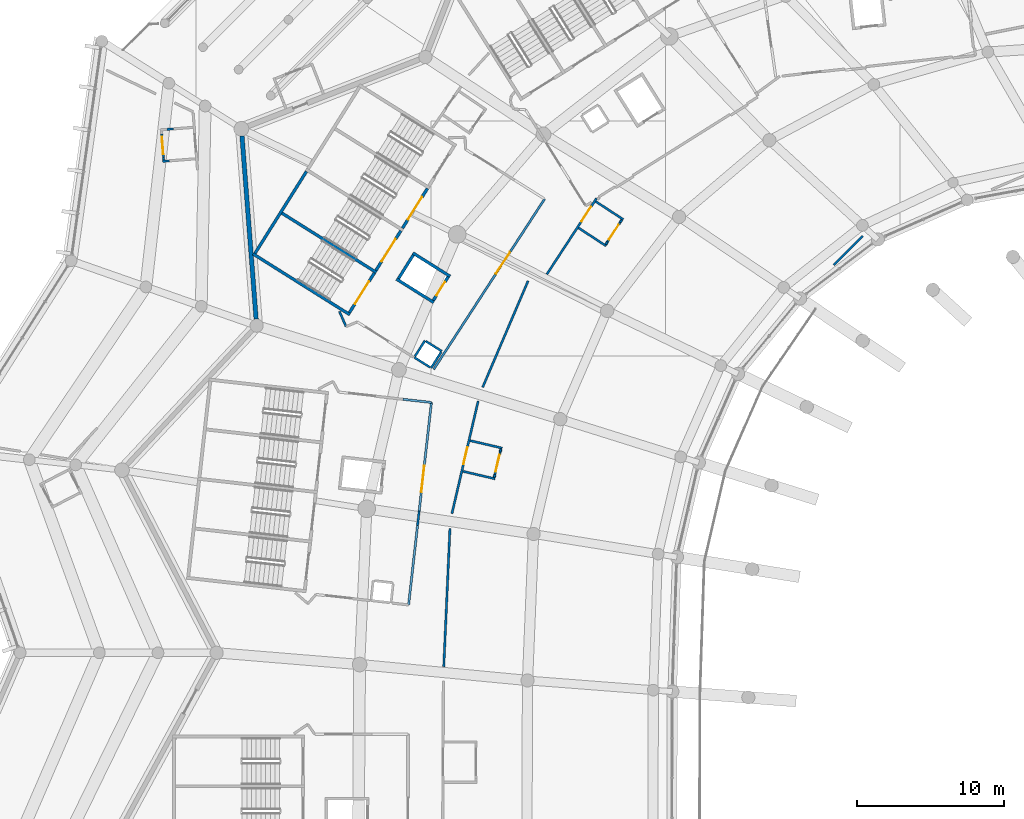
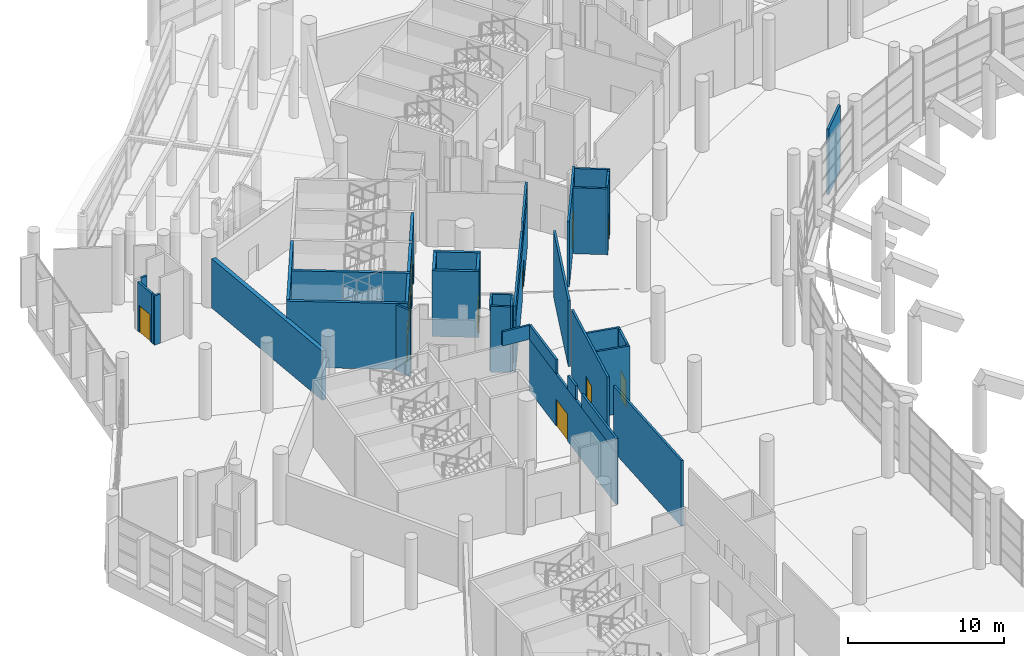
# One storey, part 183 of 271: 43 walls, 11 doors, 11 openings.
"""IFC4 building model written with IfcOpenShell, lengths in metres."""

import ifcopenshell
import ifcopenshell.guid

model = None  # the IFC model being written
_history = None  # IfcOwnerHistory: only IFC2X3 demands one
_inside = {}  # id of a spatial element -> (the spatial element, [elements in it])
_under = {}  # id of a project, library or spatial element -> (it, [spatial elements below it])
_declared = {}  # id of a project -> (the project, [libraries it declares])
_typed = {}  # id of a type object -> (the type object, [elements of that type])
_made_of = {}  # id of a material, layer set ... -> (it, [elements and type objects made of it])


def new_model(schema):
    """Start an empty IFC model of exactly this schema.

    Asked for "IFC4X3", IfcOpenShell would pick the latest addendum, in which some entities
    have other attributes; the version numbers below select the first issue.
    IFC2X3 requires an IfcOwnerHistory on every rooted entity: one is made here for all.
    """
    global model, _history
    if schema == "IFC4X3":
        model = ifcopenshell.file(schema_version=(4, 3, 0, 0))
    else:
        model = ifcopenshell.file(schema=schema)
    _inside.clear()
    _under.clear()
    _declared.clear()
    _typed.clear()
    _made_of.clear()
    _history = None
    if model.schema == "IFC2X3":
        org = make("IfcOrganization", Name="unknown")
        user = make(
            "IfcPersonAndOrganization",
            ThePerson=make("IfcPerson", FamilyName="unknown"),
            TheOrganization=org,
        )
        app = make(
            "IfcApplication",
            ApplicationDeveloper=org,
            Version="unknown",
            ApplicationFullName="unknown",
            ApplicationIdentifier="unknown",
        )
        _history = make(
            "IfcOwnerHistory",
            OwningUser=user,
            OwningApplication=app,
            ChangeAction="ADDED",
            CreationDate=0,
        )
    return model


def make(cls, **values):
    """One entity of the class cls with the attributes given. An attribute that is None is left unset."""
    return model.create_entity(
        cls, **{name: value for name, value in values.items() if value is not None}
    )


def rooted(cls, **values):
    """An entity with a GlobalId (a new one), such as an element, a storey or a relation."""
    return make(cls, GlobalId=ifcopenshell.guid.new(), OwnerHistory=_history, **values)


def si_unit(unit_type, name, prefix=None):
    """IfcSIUnit, for example si_unit("LENGTHUNIT", "METRE", prefix="MILLI")."""
    return make("IfcSIUnit", UnitType=unit_type, Prefix=prefix, Name=name)


def assignment(units):
    """IfcUnitAssignment: the units of a project."""
    return None if units is None else make("IfcUnitAssignment", Units=units)


def point(xyz):
    """IfcCartesianPoint."""
    return None if xyz is None else make("IfcCartesianPoint", Coordinates=xyz)


def direction(xyz):
    """IfcDirection."""
    return None if xyz is None else make("IfcDirection", DirectionRatios=xyz)


def frame(location, z_axis=None, x_axis=None):
    """IfcAxis2Placement3D, a coordinate frame: its origin and axes. An axis left out is left unset."""
    return make(
        "IfcAxis2Placement3D",
        Location=point(location),
        Axis=direction(z_axis),
        RefDirection=direction(x_axis),
    )


def frame_2d(location, x_axis=None):
    """IfcAxis2Placement2D, a coordinate frame in the plane: its origin and x axis."""
    return make(
        "IfcAxis2Placement2D", Location=point(location), RefDirection=direction(x_axis)
    )


def origin():
    """The frame at (0, 0, 0) with its axes left unset."""
    return frame((0.0, 0.0, 0.0))


def place(relative_to, where):
    """IfcLocalPlacement: puts the frame where relative to a parent placement (None: the world)."""
    return make(
        "IfcLocalPlacement", PlacementRelTo=relative_to, RelativePlacement=where
    )


def context(
    kind, dimensions, precision=None, world=None, true_north=None, identifier=None
):
    """IfcGeometricRepresentationContext, for example the 3D "Model" context."""
    return make(
        "IfcGeometricRepresentationContext",
        ContextIdentifier=identifier,
        ContextType=kind,
        CoordinateSpaceDimension=dimensions,
        Precision=precision,
        WorldCoordinateSystem=world,
        TrueNorth=true_north,
    )


def subcontext(parent, identifier, kind, view, scale=None):
    """IfcGeometricRepresentationSubContext, for example "Body" below "Model"."""
    return make(
        "IfcGeometricRepresentationSubContext",
        ContextIdentifier=identifier,
        ContextType=kind,
        ParentContext=parent,
        TargetScale=scale,
        TargetView=view,
    )


def project(units=None, contexts=None):
    """IfcProject with its units and contexts."""
    return rooted(
        "IfcProject",
        Name="project",
        RepresentationContexts=contexts,
        UnitsInContext=assignment(units),
    )


def spatial(cls, under=None, at=None, **own):
    """A site, building, storey or space (cls), placed at a placement, below another one or the project."""
    s = rooted(cls, ObjectPlacement=at, **own)
    if under is not None:
        _under.setdefault(under.id(), (under, []))[1].append(s)
    return s


def profile(cls, at=None, kind="AREA", **sizes):
    """A parametric profile (cls). Its sizes go by their IFC names, for example OverallWidth=200.0."""
    return make(cls, ProfileType=kind, Position=at, **sizes)


def rectangle(**sizes):
    """IfcRectangleProfileDef."""
    return profile("IfcRectangleProfileDef", **sizes)


def extrude(swept, where, along, depth):
    """IfcExtrudedAreaSolid: the profile swept, set in the frame where, extruded along a direction by depth."""
    return make(
        "IfcExtrudedAreaSolid",
        SweptArea=swept,
        Position=where,
        ExtrudedDirection=direction(along),
        Depth=depth,
    )


def shape(context_of_items, identifier, shape_type, items):
    """IfcShapeRepresentation: the items that make up one representation, for example the "Body"."""
    return make(
        "IfcShapeRepresentation",
        ContextOfItems=context_of_items,
        RepresentationIdentifier=identifier,
        RepresentationType=shape_type,
        Items=items,
    )


def material(Name=None, Category=None):
    """IfcMaterial."""
    return make("IfcMaterial", Name=Name, Category=Category)


def layer(
    of_material, thickness, ventilated=None, Name=None, Category=None, Priority=None
):
    """IfcMaterialLayer: one layer of a wall or slab, of a material (None: an air gap)."""
    return make(
        "IfcMaterialLayer",
        Material=of_material,
        LayerThickness=thickness,
        IsVentilated=ventilated,
        Name=Name,
        Category=Category,
        Priority=Priority,
    )


def layer_set(layers, Name=None):
    """IfcMaterialLayerSet."""
    return make("IfcMaterialLayerSet", MaterialLayers=layers, LayerSetName=Name)


def made_of(thing, what):
    """Note that an element or type object is made of a material, layer set ...; save() writes the relation."""
    if what is not None:
        _made_of.setdefault(what.id(), (what, []))[1].append(thing)
    return thing


def type_object(cls, material=None, **own):
    """A type object (cls), such as IfcWallType, which elements share."""
    return made_of(rooted(cls, **own), material)


def element(
    cls,
    number,
    at=None,
    inside=None,
    cuts=None,
    type_object=None,
    material=None,
    context=None,
    identifier="Body",
    shape_type=None,
    held_by="IfcProductDefinitionShape",
    body=None,
    shapes=None,
    **own,
):
    """One element of the class cls, such as IfcWall. Its Tag is "e" and its number.

    at: its placement. inside: the storey or other place that contains it. cuts: it is an
    opening in that element (IfcRelVoidsElement). A single representation is given by context,
    identifier, shape_type and body (its items); several are given by shapes. held_by: the class
    of the entity that holds the representations. save() writes the other relations.
    """
    e = rooted(cls, Tag="e%d" % number, ObjectPlacement=at, **own)
    if body is not None:
        shapes = [shape(context, identifier, shape_type, body)]
    if shapes is not None:
        e.Representation = make(held_by, Representations=shapes)
    if inside is not None:
        _inside.setdefault(inside.id(), (inside, []))[1].append(e)
    if cuts is not None:
        rooted(
            "IfcRelVoidsElement", RelatingBuildingElement=cuts, RelatedOpeningElement=e
        )
    if type_object is not None:
        _typed.setdefault(type_object.id(), (type_object, []))[1].append(e)
    return made_of(e, material)


def fill(opening, filler):
    """IfcRelFillsElement: the door or window that sits in an opening."""
    return rooted(
        "IfcRelFillsElement",
        RelatingOpeningElement=opening,
        RelatedBuildingElement=filler,
    )


def aggregate(whole, parts):
    """IfcRelAggregates: a whole, such as a stair, and the parts it consists of."""
    return rooted("IfcRelAggregates", RelatingObject=whole, RelatedObjects=parts)


def save(model, path):
    """Write the relations noted so far, then the file.

    IfcRelAggregates (storeys below a building ...), IfcRelContainedInSpatialStructure (elements
    in a storey), IfcRelDefinesByType, IfcRelAssociatesMaterial and IfcRelDeclares: one each for
    every whole, place, type object, material and project.
    """
    for whole, parts in _under.values():
        aggregate(whole, parts)
    for where, things in _inside.values():
        rooted(
            "IfcRelContainedInSpatialStructure",
            RelatedElements=things,
            RelatingStructure=where,
        )
    for kind, things in _typed.values():
        rooted("IfcRelDefinesByType", RelatedObjects=things, RelatingType=kind)
    for what, things in _made_of.values():
        rooted("IfcRelAssociatesMaterial", RelatedObjects=things, RelatingMaterial=what)
    for by, libraries in _declared.values():
        rooted("IfcRelDeclares", RelatingContext=by, RelatedDefinitions=libraries)
    model.write(path)


model = new_model("IFC4")

# Units and contexts
model_context = context("Model", 3, precision=1e-05, world=origin(), true_north=direction((0.0, 1.0)))
body_context = subcontext(model_context, "Body", "Model", "MODEL_VIEW")
ifc_project = project(units=[si_unit("LENGTHUNIT", "METRE"), si_unit("AREAUNIT", "SQUARE_METRE"), si_unit("VOLUMEUNIT", "CUBIC_METRE"), si_unit("PLANEANGLEUNIT", "RADIAN"), si_unit("MASSUNIT", "GRAM", prefix="KILO")], contexts=[model_context])

# Site, building, storey
site_placement = place(None, origin())
site = spatial("IfcSite", under=ifc_project, at=site_placement, CompositionType="ELEMENT")
building_placement = place(site_placement, origin())
building = spatial("IfcBuilding", under=site, at=building_placement, Name="Meseta Stadium", CompositionType="ELEMENT")
storey_placement = place(building_placement, frame((0.0, 0.0, 6.5)))
storey = spatial("IfcBuildingStorey", under=building, at=storey_placement, Name="L01", CompositionType="ELEMENT", Elevation=6.5)

# Walls
ifc_material_1 = material(Name="Concrete C40/50", Category="concrete")
ifc_layer_1 = layer(ifc_material_1, 0.199951171875)
ifc_layer_set_1 = layer_set([ifc_layer_1], Name="Core divider wall 200")
wall_type_1 = type_object("IfcWallType", Name="Core divider wall 200", PredefinedType="SHEAR", material=ifc_layer_set_1)
wall_1_placement = place(storey_placement, frame((-90.314453125, 73.8291015625, 0.0), z_axis=(0.0, 0.0, 1.0), x_axis=(0.846722763703, -0.532034361135, 0.0)))
element("IfcWall", 1, at=wall_1_placement, inside=storey, type_object=wall_type_1, Name="Core 14 L01 stair B divider wall", PredefinedType="SHEAR", context=body_context, shape_type="SweptSolid", body=[
    extrude(rectangle(XDim=7.800048828125, YDim=0.199951171875, at=frame_2d((3.89990234375, 0.0))), origin(), (0.0, 0.0, 1.0), 5.14990234375),
])
ifc_material_2 = material(Name="Concrete C40/50", Category="concrete")
ifc_layer_2 = layer(ifc_material_2, 0.199951171875)
ifc_layer_set_2 = layer_set([ifc_layer_2], Name="Core shaft wall 200")
wall_type_2 = type_object("IfcWallType", Name="Core shaft wall 200", PredefinedType="SHEAR", material=ifc_layer_set_2)
wall_2_placement = place(storey_placement, frame((-92.123291015625, 70.9501953125, 0.0), z_axis=(0.0, 0.0, 1.0), x_axis=(0.846722763703, -0.532034361135, 0.0)))
element("IfcWall", 2, at=wall_2_placement, inside=storey, type_object=wall_type_2, Name="Core 14 L01 stair wall B-side", PredefinedType="SHEAR", context=body_context, shape_type="SweptSolid", body=[
    extrude(rectangle(XDim=7.800048828125, YDim=0.199951171875, at=frame_2d((3.89990234375, 0.0))), origin(), (0.0, 0.0, 1.0), 5.14990234375),
])
wall_3_placement = place(storey_placement, frame((-88.47412109375, 76.570068359375, 0.0), z_axis=(0.0, 0.0, 1.0), x_axis=(-0.532038964807, -0.846719870989, 0.0)))
element("IfcWall", 3, at=wall_3_placement, inside=storey, type_object=wall_type_2, Name="Core 14 L01 stair B outer end wall", PredefinedType="SHEAR", context=body_context, shape_type="SweptSolid", body=[
    extrude(rectangle(XDim=6.60009765625, YDim=0.199951171875, at=frame_2d((3.300048828125, 0.0))), origin(), (0.0, 0.0, 1.0), 5.14990234375),
])

# Wall, opening, door
wall_4_placement = place(storey_placement, frame((-80.22998046875, 75.405517578125, 0.0), z_axis=(0.0, 0.0, 1.0), x_axis=(-0.53206841829, -0.84670136309, 0.0)))
wall_4 = element("IfcWall", 4, at=wall_4_placement, inside=storey, type_object=wall_type_2, Name="Core 14 L01 stair A2 inner end wall", PredefinedType="SHEAR", context=body_context, shape_type="SweptSolid", body=[
    extrude(rectangle(XDim=3.199951171875, YDim=0.199951171875, at=frame_2d((1.60009765625, 0.0))), origin(), (0.0, 0.0, 1.0), 5.14990234375),
])
opening_1_placement = place(wall_4_placement, frame((0.699951171875, 0.0, 0.0)))
opening_1 = element("IfcOpeningElement", 5, at=opening_1_placement, cuts=wall_4, Name="Opening D196", PredefinedType="OPENING", context=body_context, shape_type="SweptSolid", body=[
    extrude(rectangle(XDim=1.800048828125, YDim=2.10009765625, at=frame_2d((0.89990234375, 1.050048828125))), frame((0.0, 0.10986328125, 0.0), z_axis=(0.0, -1.0, 0.0), x_axis=(1.0, 0.0, 0.0)), (0.0, 0.0, 1.0), 0.219970703125),
])
ifc_material_3 = material(Name="Steel", Category="steel")
door_type_1 = type_object("IfcDoorType", Name="Stair door 1800x2100", OperationType="DOUBLE_DOOR_SINGLE_SWING", PredefinedType="DOOR", material=ifc_material_3)
door_1_placement = place(opening_1_placement, origin())
door_1 = element("IfcDoor", 6, at=door_1_placement, inside=storey, type_object=door_type_1, Name="Stair A2 door 14 L01", OperationType="DOUBLE_DOOR_SINGLE_SWING", OverallHeight=2.10009765625, OverallWidth=1.800048828125, PredefinedType="DOOR", context=body_context, shape_type="SweptSolid", body=[
    extrude(rectangle(XDim=1.800048828125, YDim=2.10009765625, at=frame_2d((0.89990234375, 1.050048828125))), frame((0.0, 0.02490234375, 0.0), z_axis=(0.0, -1.0, 0.0), x_axis=(1.0, 0.0, 0.0)), (0.0, 0.0, 1.0), 0.050048828125),
])
fill(opening_1, door_1)

wall_5_placement = place(storey_placement, frame((-82.0390625, 72.526611328125, 0.0), z_axis=(0.0, 0.0, 1.0), x_axis=(-0.532013720158, -0.846735733015, 0.0)))
wall_5 = element("IfcWall", 7, at=wall_5_placement, inside=storey, type_object=wall_type_2, Name="Core 14 L01 stair B1 inner end wall", PredefinedType="SHEAR", context=body_context, shape_type="SweptSolid", body=[
    extrude(rectangle(XDim=3.199951171875, YDim=0.199951171875, at=frame_2d((1.60009765625, 0.0))), origin(), (0.0, 0.0, 1.0), 5.14990234375),
])
opening_2_placement = place(wall_5_placement, frame((0.673095703125, 0.0, 0.0)))
opening_2 = element("IfcOpeningElement", 8, at=opening_2_placement, cuts=wall_5, Name="Opening D197", PredefinedType="OPENING", context=body_context, shape_type="SweptSolid", body=[
    extrude(rectangle(XDim=1.800048828125, YDim=2.10009765625, at=frame_2d((0.89990234375, 1.050048828125))), frame((0.0, 0.10986328125, 0.0), z_axis=(0.0, -1.0, 0.0), x_axis=(1.0, 0.0, 0.0)), (0.0, 0.0, 1.0), 0.219970703125),
])
door_2_placement = place(opening_2_placement, origin())
door_2 = element("IfcDoor", 9, at=door_2_placement, inside=storey, type_object=door_type_1, Name="Stair B1 door 14 L01", OperationType="DOUBLE_DOOR_SINGLE_SWING", OverallHeight=2.10009765625, OverallWidth=1.800048828125, PredefinedType="DOOR", context=body_context, shape_type="SweptSolid", body=[
    extrude(rectangle(XDim=1.800048828125, YDim=2.10009765625, at=frame_2d((0.89990234375, 1.050048828125))), frame((0.0, 0.02490234375, 0.0), z_axis=(0.0, -1.0, 0.0), x_axis=(1.0, 0.0, 0.0)), (0.0, 0.0, 1.0), 0.050048828125),
])
fill(opening_2, door_2)

wall_6_placement = place(storey_placement, frame((-83.847900390625, 69.647705078125, 0.0), z_axis=(0.0, 0.0, 1.0), x_axis=(-0.532013720158, -0.846735733015, 0.0)))
wall_6 = element("IfcWall", 10, at=wall_6_placement, inside=storey, type_object=wall_type_2, Name="Core 14 L01 stair B2 inner end wall", PredefinedType="SHEAR", context=body_context, shape_type="SweptSolid", body=[
    extrude(rectangle(XDim=3.199951171875, YDim=0.199951171875, at=frame_2d((1.60009765625, 0.0))), origin(), (0.0, 0.0, 1.0), 5.14990234375),
])
opening_3_placement = place(wall_6_placement, frame((0.699951171875, 0.0, 0.0)))
opening_3 = element("IfcOpeningElement", 11, at=opening_3_placement, cuts=wall_6, Name="Opening D198", PredefinedType="OPENING", context=body_context, shape_type="SweptSolid", body=[
    extrude(rectangle(XDim=1.800048828125, YDim=2.10009765625, at=frame_2d((0.89990234375, 1.050048828125))), frame((0.0, 0.10986328125, 0.0), z_axis=(0.0, -1.0, 0.0), x_axis=(1.0, 0.0, 0.0)), (0.0, 0.0, 1.0), 0.219970703125),
])
door_3_placement = place(opening_3_placement, origin())
door_3 = element("IfcDoor", 12, at=door_3_placement, inside=storey, type_object=door_type_1, Name="Stair B2 door 14 L01", OperationType="DOUBLE_DOOR_SINGLE_SWING", OverallHeight=2.10009765625, OverallWidth=1.800048828125, PredefinedType="DOOR", context=body_context, shape_type="SweptSolid", body=[
    extrude(rectangle(XDim=1.800048828125, YDim=2.10009765625, at=frame_2d((0.89990234375, 1.050048828125))), frame((0.0, 0.02490234375, 0.0), z_axis=(0.0, -1.0, 0.0), x_axis=(1.0, 0.0, 0.0)), (0.0, 0.0, 1.0), 0.050048828125),
])
fill(opening_3, door_3)

# Walls
for number, where, z_axis, x_axis, name in (
    (13, (-81.22119140625, 71.0087890625, 0.0), (0.0, 0.0, 1.0), (0.846757002027, -0.531979867588, 0.0), "Core 14 L01 lift shaft wall left"),
    (14, (-82.33837890625, 69.230712890625, 0.0), (0.0, 0.0, 1.0), (0.846757002027, -0.531979867588, 0.0), "Core 14 L01 lift shaft wall right"),
):
    element("IfcWall", number, at=place(storey_placement, frame(where, z_axis=z_axis, x_axis=x_axis)), inside=storey, type_object=wall_type_2, Name=name, PredefinedType="SHEAR", context=body_context, shape_type="SweptSolid", body=[
        extrude(rectangle(XDim=3.0, YDim=0.199951171875, at=frame_2d((1.5, 0.0))), origin(), (0.0, 0.0, 1.0), 5.14990234375),
    ])
wall_7_placement = place(storey_placement, frame((-81.189697265625, 70.87109375, 0.0), z_axis=(0.0, 0.0, 1.0), x_axis=(-0.531961007765, -0.846768850524, 0.0)))
element("IfcWall", 15, at=wall_7_placement, inside=storey, type_object=wall_type_2, Name="Core 14 L01 lift shaft back wall", PredefinedType="SHEAR", context=body_context, shape_type="SweptSolid", body=[
    extrude(rectangle(XDim=1.900146484375, YDim=0.199951171875, at=frame_2d((0.9501953125, 0.0))), origin(), (0.0, 0.0, 1.0), 5.14990234375),
])

# Wall, opening, door
wall_8_placement = place(storey_placement, frame((-78.81884765625, 69.38134765625, 0.0), z_axis=(0.0, 0.0, 1.0), x_axis=(-0.532018892235, -0.846732483318, 0.0)))
wall_8 = element("IfcWall", 16, at=wall_8_placement, inside=storey, type_object=wall_type_2, Name="Core 14 L01 lift shaft front wall", PredefinedType="SHEAR", context=body_context, shape_type="SweptSolid", body=[
    extrude(rectangle(XDim=1.89990234375, YDim=0.199951171875, at=frame_2d((0.949951171875, 0.0))), origin(), (0.0, 0.0, 1.0), 5.14990234375),
])
opening_4_placement = place(wall_8_placement, frame((0.39990234375, 0.0, 0.0)))
opening_4 = element("IfcOpeningElement", 17, at=opening_4_placement, cuts=wall_8, Name="Opening LD75", PredefinedType="OPENING", context=body_context, shape_type="SweptSolid", body=[
    extrude(rectangle(XDim=1.10009765625, YDim=2.10009765625, at=frame_2d((0.550048828125, 1.050048828125))), frame((0.0, 0.10986328125, 0.0), z_axis=(0.0, -1.0, 0.0), x_axis=(1.0, 0.0, 0.0)), (0.0, 0.0, 1.0), 0.219970703125),
])
ifc_material_4 = material(Name="Steel", Category="steel")
door_type_2 = type_object("IfcDoorType", Name="Lift landing door 1100x2100", OperationType="SLIDING_TO_LEFT", PredefinedType="DOOR", material=ifc_material_4)
door_4_placement = place(opening_4_placement, origin())
door_4 = element("IfcDoor", 18, at=door_4_placement, inside=storey, type_object=door_type_2, Name="Lift landing door LD75", OperationType="SLIDING_TO_LEFT", OverallHeight=2.10009765625, OverallWidth=1.10009765625, PredefinedType="DOOR", context=body_context, shape_type="SweptSolid", body=[
    extrude(rectangle(XDim=1.10009765625, YDim=2.10009765625, at=frame_2d((0.550048828125, 1.050048828125))), frame((0.0, 0.02490234375, 0.0), z_axis=(0.0, -1.0, 0.0), x_axis=(1.0, 0.0, 0.0)), (0.0, 0.0, 1.0), 0.050048828125),
])
fill(opening_4, door_4)

ifc_material_5 = material(Name="Masonry blockwork", Category="masonry")
ifc_layer_3 = layer(ifc_material_5, 0.14990234375)
ifc_layer_set_3 = layer_set([ifc_layer_3], Name="Partition 150")
wall_type_3 = type_object("IfcWallType", Name="Partition 150", PredefinedType="PARTITIONING", material=ifc_layer_set_3)
wall_9_placement = place(storey_placement, frame((-72.085205078125, 69.559326171875, 0.0), z_axis=(0.0, 0.0, 1.0), x_axis=(0.547328054804, 0.836918156348, 0.0)))
wall_9 = element("IfcWall", 19, at=wall_9_placement, inside=storey, type_object=wall_type_3, Name="Partition L01 L01-cell12-0-0", PredefinedType="PARTITIONING", context=body_context, shape_type="SweptSolid", body=[
    extrude(rectangle(XDim=6.185546875, YDim=0.14990234375, at=frame_2d((3.0927734375, 0.0))), origin(), (0.0, 0.0, 1.0), 5.14990234375),
])
opening_5_placement = place(wall_9_placement, frame((4.300048828125, 0.0, 0.0)))
opening_5 = element("IfcOpeningElement", 20, at=opening_5_placement, cuts=wall_9, Name="Opening D656", PredefinedType="OPENING", context=body_context, shape_type="SweptSolid", body=[
    extrude(rectangle(XDim=1.199951171875, YDim=2.10009765625, at=frame_2d((0.60009765625, 1.050048828125))), frame((0.0, 0.0849609375, 0.0), z_axis=(0.0, -1.0, 0.0), x_axis=(1.0, 0.0, 0.0)), (0.0, 0.0, 1.0), 0.169921875),
])
ifc_material_6 = material(Name="Steel", Category="steel")
door_type_3 = type_object("IfcDoorType", Name="Fire door 1200x2100 EI2 60", OperationType="NOTDEFINED", PredefinedType="DOOR", material=ifc_material_6)
door_5_placement = place(opening_5_placement, origin())
door_5 = element("IfcDoor", 21, at=door_5_placement, inside=storey, type_object=door_type_3, Name="Door D656", OperationType="SINGLE_SWING_RIGHT", OverallHeight=2.10009765625, OverallWidth=1.199951171875, PredefinedType="DOOR", context=body_context, shape_type="SweptSolid", body=[
    extrude(rectangle(XDim=1.199951171875, YDim=2.10009765625, at=frame_2d((0.60009765625, 1.050048828125))), frame((0.0, 0.02490234375, 0.0), z_axis=(0.0, -1.0, 0.0), x_axis=(1.0, 0.0, 0.0)), (0.0, 0.0, 1.0), 0.050048828125),
])
fill(opening_5, door_5)

# Wall
wall_10_placement = place(storey_placement, frame((-50.55517578125, 72.17236328125, 0.0), z_axis=(0.0, 0.0, 1.0), x_axis=(-0.706715261326, -0.707498084385, 0.0)))
element("IfcWall", 22, at=wall_10_placement, inside=storey, type_object=wall_type_3, Name="Partition L01 L01-cell12-0-0", PredefinedType="PARTITIONING", context=body_context, shape_type="SweptSolid", body=[
    extrude(rectangle(XDim=2.806884765625, YDim=0.14990234375, at=frame_2d((1.4033203125, 0.0))), origin(), (0.0, 0.0, 1.0), 5.14990234375),
])

# Wall, opening, door
wall_11_placement = place(storey_placement, frame((-78.55712890625, 53.2412109375, 0.0), z_axis=(0.0, 0.0, 1.0), x_axis=(0.226944673482, 0.973907652284, 0.0)))
wall_11 = element("IfcWall", 23, at=wall_11_placement, inside=storey, type_object=wall_type_3, Name="Partition L01 L01-cell13-0-0", PredefinedType="PARTITIONING", context=body_context, shape_type="SweptSolid", body=[
    extrude(rectangle(XDim=7.882080078125, YDim=0.14990234375, at=frame_2d((3.94091796875, 0.0))), origin(), (0.0, 0.0, 1.0), 5.14990234375),
])
opening_6_placement = place(wall_11_placement, frame((3.449951171875, 0.0, 0.0)))
opening_6 = element("IfcOpeningElement", 24, at=opening_6_placement, cuts=wall_11, Name="Opening D658", PredefinedType="OPENING", context=body_context, shape_type="SweptSolid", body=[
    extrude(rectangle(XDim=1.199951171875, YDim=2.10009765625, at=frame_2d((0.60009765625, 1.050048828125))), frame((0.0, 0.0849609375, 0.0), z_axis=(0.0, -1.0, 0.0), x_axis=(1.0, 0.0, 0.0)), (0.0, 0.0, 1.0), 0.169921875),
])
door_6_placement = place(opening_6_placement, origin())
door_6 = element("IfcDoor", 25, at=door_6_placement, inside=storey, type_object=door_type_3, Name="Door D658", OperationType="SINGLE_SWING_RIGHT", OverallHeight=2.10009765625, OverallWidth=1.199951171875, PredefinedType="DOOR", context=body_context, shape_type="SweptSolid", body=[
    extrude(rectangle(XDim=1.199951171875, YDim=2.10009765625, at=frame_2d((0.60009765625, 1.050048828125))), frame((0.0, 0.02490234375, 0.0), z_axis=(0.0, -1.0, 0.0), x_axis=(1.0, 0.0, 0.0)), (0.0, 0.0, 1.0), 0.050048828125),
])
fill(opening_6, door_6)

# Walls
wall_12_placement = place(storey_placement, frame((-76.462890625, 61.850830078125, 0.0), z_axis=(0.0, 0.0, 1.0), x_axis=(0.39271238508, 0.919661341258, 0.0)))
element("IfcWall", 26, at=wall_12_placement, inside=storey, type_object=wall_type_3, Name="Partition L01 L01-cell13-0-0", PredefinedType="PARTITIONING", context=body_context, shape_type="SweptSolid", body=[
    extrude(rectangle(XDim=7.887939453125, YDim=0.14990234375, at=frame_2d((3.94384765625, 0.0))), origin(), (0.0, 0.0, 1.0), 5.14990234375),
])
wall_13_placement = place(storey_placement, frame((-79.115478515625, 42.7978515625, 0.0), z_axis=(0.0, 0.0, 1.0), x_axis=(0.044750974556, 0.99899817331, 0.0)))
element("IfcWall", 27, at=wall_13_placement, inside=storey, type_object=wall_type_3, Name="Partition L01 L01-cell14-0-0", PredefinedType="PARTITIONING", context=body_context, shape_type="SweptSolid", body=[
    extrude(rectangle(XDim=9.42724609375, YDim=0.14990234375, at=frame_2d((4.713623046875, 0.0))), origin(), (0.0, 0.0, 1.0), 5.14990234375),
])
for number, where, z_axis, x_axis, name in (
    (28, (-80.400634765625, 65.03125, 0.0), (0.0, 0.0, 1.0), (-0.532097038765, -0.846683377265, 0.0), "Pressurisation shaft wall L01 core 14"),
    (29, (-81.118896484375, 63.88818359375, 0.0), (0.0, 0.0, 1.0), (0.846683377265, -0.532097038765, 0.0), "Pressurisation shaft wall L01 core 14"),
):
    element("IfcWall", number, at=place(storey_placement, frame(where, z_axis=z_axis, x_axis=x_axis)), inside=storey, type_object=wall_type_3, Name=name, PredefinedType="PARTITIONING", context=body_context, shape_type="SweptSolid", body=[
        extrude(rectangle(XDim=1.275146484375, YDim=0.14990234375, at=frame_2d((0.6376953125, 0.0))), origin(), (0.0, 0.0, 1.0), 5.14990234375),
    ])
for number, where, z_axis, x_axis, name in (
    (30, (-79.975830078125, 63.169921875, 0.0), (0.0, 0.0, 1.0), (0.531959757672, 0.846769635862, 0.0), "Pressurisation shaft wall L01 core 14"),
    (31, (-79.257568359375, 64.31298828125, 0.0), (0.0, 0.0, 1.0), (-0.846769635862, 0.531959757672, 0.0), "Pressurisation shaft wall L01 core 14"),
):
    element("IfcWall", number, at=place(storey_placement, frame(where, z_axis=z_axis, x_axis=x_axis)), inside=storey, type_object=wall_type_3, Name=name, PredefinedType="PARTITIONING", context=body_context, shape_type="SweptSolid", body=[
        extrude(rectangle(XDim=1.27490234375, YDim=0.14990234375, at=frame_2d((0.637451171875, 0.0))), origin(), (0.0, 0.0, 1.0), 5.14990234375),
    ])
wall_14_placement = place(storey_placement, frame((-86.22900390625, 67.022705078125, 0.0), z_axis=(0.0, 0.0, 1.0), x_axis=(0.401170879934, -0.916003234215, 0.0)))
element("IfcWall", 32, at=wall_14_placement, inside=storey, type_object=wall_type_3, Name="Stair vestibule wall L01 core 14", PredefinedType="PARTITIONING", context=body_context, shape_type="SweptSolid", body=[
    extrude(rectangle(XDim=1.127685546875, YDim=0.14990234375, at=frame_2d((0.56396484375, 0.0))), origin(), (0.0, 0.0, 1.0), 5.14990234375),
])

# Wall, opening, door
wall_15_placement = place(storey_placement, frame((-79.7998046875, 63.075439453125, 0.0), z_axis=(0.0, 0.0, 1.0), x_axis=(0.545515209529, 0.838100922427, 0.0)))
wall_15 = element("IfcWall", 33, at=wall_15_placement, inside=storey, type_object=wall_type_3, Name="Stair vestibule wall L01 core 14", PredefinedType="PARTITIONING", context=body_context, shape_type="SweptSolid", body=[
    extrude(rectangle(XDim=13.858154296875, YDim=0.14990234375, at=frame_2d((6.92919921875, 0.0))), origin(), (0.0, 0.0, 1.0), 4.050048828125),
])
opening_7_placement = place(wall_15_placement, frame((7.75, 0.0, 0.0)))
opening_7 = element("IfcOpeningElement", 34, at=opening_7_placement, cuts=wall_15, Name="Opening D776", PredefinedType="OPENING", context=body_context, shape_type="SweptSolid", body=[
    extrude(rectangle(XDim=1.800048828125, YDim=2.10009765625, at=frame_2d((0.89990234375, 1.050048828125))), frame((0.0, 0.0849609375, 0.0), z_axis=(0.0, -1.0, 0.0), x_axis=(1.0, 0.0, 0.0)), (0.0, 0.0, 1.0), 0.169921875),
])
ifc_material_7 = material(Name="Steel", Category="steel")
door_type_4 = type_object("IfcDoorType", Name="Fire double door 1800x2100 EI2 60", OperationType="DOUBLE_DOOR_SINGLE_SWING", PredefinedType="DOOR", material=ifc_material_7)
door_7_placement = place(opening_7_placement, origin())
door_7 = element("IfcDoor", 35, at=door_7_placement, inside=storey, type_object=door_type_4, Name="Stair vestibule door L01 core 14", OperationType="DOUBLE_DOOR_SINGLE_SWING", OverallHeight=2.10009765625, OverallWidth=1.800048828125, PredefinedType="DOOR", context=body_context, shape_type="SweptSolid", body=[
    extrude(rectangle(XDim=1.800048828125, YDim=2.10009765625, at=frame_2d((0.89990234375, 1.050048828125))), frame((0.0, 0.02490234375, 0.0), z_axis=(0.0, -1.0, 0.0), x_axis=(1.0, 0.0, 0.0)), (0.0, 0.0, 1.0), 0.050048828125),
])
fill(opening_7, door_7)

# Walls
wall_16_placement = place(storey_placement, frame((-79.7998046875, 63.075439453125, 4.050048828125), z_axis=(0.0, 0.0, 1.0), x_axis=(0.545506358253, 0.838106683606, 0.0)))
element("IfcWall", 36, at=wall_16_placement, inside=storey, type_object=wall_type_3, Name="Stair vestibule wall L01 core 14", PredefinedType="PARTITIONING", context=body_context, shape_type="SweptSolid", body=[
    extrude(rectangle(XDim=8.413818359375, YDim=0.14990234375, at=frame_2d((4.20703125, 0.0))), origin(), (0.0, 0.0, 1.0), 1.099853515625),
])
wall_17_placement = place(storey_placement, frame((-74.669921875, 70.956787109375, 4.050048828125), z_axis=(0.0, 0.0, 1.0), x_axis=(0.545521889178, 0.838096574643, 0.0)))
element("IfcWall", 37, at=wall_17_placement, inside=storey, type_object=wall_type_3, Name="Stair vestibule wall L01 core 14", PredefinedType="PARTITIONING", context=body_context, shape_type="SweptSolid", body=[
    extrude(rectangle(XDim=4.454345703125, YDim=0.14990234375, at=frame_2d((2.22705078125, 0.0))), origin(), (0.0, 0.0, 1.0), 1.099853515625),
])

# Wall, opening, door
wall_18_placement = place(storey_placement, frame((-81.5126953125, 47.012451171875, 0.0), z_axis=(0.0, 0.0, 1.0), x_axis=(0.111965089533, 0.993712140776, 0.0)))
wall_18 = element("IfcWall", 38, at=wall_18_placement, inside=storey, type_object=wall_type_3, Name="Stair vestibule wall L01 core 15", PredefinedType="PARTITIONING", context=body_context, shape_type="SweptSolid", body=[
    extrude(rectangle(XDim=13.889892578125, YDim=0.14990234375, at=frame_2d((6.94482421875, 0.0))), origin(), (0.0, 0.0, 1.0), 4.050048828125),
])
opening_8_placement = place(wall_18_placement, frame((7.75, 0.0, 0.0)))
opening_8 = element("IfcOpeningElement", 39, at=opening_8_placement, cuts=wall_18, Name="Opening D779", PredefinedType="OPENING", context=body_context, shape_type="SweptSolid", body=[
    extrude(rectangle(XDim=1.800048828125, YDim=2.10009765625, at=frame_2d((0.89990234375, 1.050048828125))), frame((0.0, 0.0849609375, 0.0), z_axis=(0.0, -1.0, 0.0), x_axis=(1.0, 0.0, 0.0)), (0.0, 0.0, 1.0), 0.169921875),
])
door_8_placement = place(opening_8_placement, origin())
door_8 = element("IfcDoor", 40, at=door_8_placement, inside=storey, type_object=door_type_4, Name="Stair vestibule door L01 core 15", OperationType="DOUBLE_DOOR_SINGLE_SWING", OverallHeight=2.10009765625, OverallWidth=1.800048828125, PredefinedType="DOOR", context=body_context, shape_type="SweptSolid", body=[
    extrude(rectangle(XDim=1.800048828125, YDim=2.10009765625, at=frame_2d((0.89990234375, 1.050048828125))), frame((0.0, 0.02490234375, 0.0), z_axis=(0.0, -1.0, 0.0), x_axis=(1.0, 0.0, 0.0)), (0.0, 0.0, 1.0), 0.050048828125),
])
fill(opening_8, door_8)

# Walls
wall_19_placement = place(storey_placement, frame((-81.5126953125, 47.012451171875, 4.050048828125), z_axis=(0.0, 0.0, 1.0), x_axis=(0.111943888003, 0.993714529399, 0.0)))
element("IfcWall", 41, at=wall_19_placement, inside=storey, type_object=wall_type_3, Name="Stair vestibule wall L01 core 15", PredefinedType="PARTITIONING", context=body_context, shape_type="SweptSolid", body=[
    extrude(rectangle(XDim=5.45654296875, YDim=0.14990234375, at=frame_2d((2.728271484375, 0.0))), origin(), (0.0, 0.0, 1.0), 1.099853515625),
])
wall_20_placement = place(storey_placement, frame((-80.790771484375, 53.4208984375, 4.050048828125), z_axis=(0.0, 0.0, 1.0), x_axis=(0.11201638851, 0.993706359397, 0.0)))
element("IfcWall", 42, at=wall_20_placement, inside=storey, type_object=wall_type_3, Name="Stair vestibule wall L01 core 15", PredefinedType="PARTITIONING", context=body_context, shape_type="SweptSolid", body=[
    extrude(rectangle(XDim=1.2509765625, YDim=0.14990234375, at=frame_2d((0.62548828125, 0.0))), origin(), (0.0, 0.0, 1.0), 1.099853515625),
])
wall_21_placement = place(storey_placement, frame((-79.95751953125, 60.81494140625, 4.050048828125), z_axis=(0.0, 0.0, 1.0), x_axis=(-0.993707363865, 0.11200747743, 0.0)))
element("IfcWall", 43, at=wall_21_placement, inside=storey, type_object=wall_type_3, Name="Stair vestibule wall L01 core 15", PredefinedType="PARTITIONING", context=body_context, shape_type="SweptSolid", body=[
    extrude(rectangle(XDim=1.955078125, YDim=0.14990234375, at=frame_2d((0.9775390625, 0.0))), origin(), (0.0, 0.0, 1.0), 1.099853515625),
])
for number, where, z_axis, x_axis, name in (
    (44, (-69.928955078125, 72.719482421875, 0.0), (0.0, 0.0, 1.0), (0.836925645674, -0.54731660272, 0.0), "Partition L01 L01-cell12-0-0 vestibule"),
    (45, (-68.752197265625, 74.518798828125, 0.0), (0.0, 0.0, 1.0), (0.836925645674, -0.54731660272, 0.0), "Partition L01 L01-cell12-0-0 vestibule"),
):
    element("IfcWall", number, at=place(storey_placement, frame(where, z_axis=z_axis, x_axis=x_axis)), inside=storey, type_object=wall_type_3, Name=name, PredefinedType="PARTITIONING", context=body_context, shape_type="SweptSolid", body=[
        extrude(rectangle(XDim=2.25, YDim=0.14990234375, at=frame_2d((1.125, 0.0))), origin(), (0.0, 0.0, 1.0), 5.14990234375),
    ])
wall_22_placement = place(storey_placement, frame((-68.067626953125, 71.591796875, 0.0), z_axis=(0.0, 0.0, 1.0), x_axis=(0.546788900939, 0.837270504562, 0.0)))
element("IfcWall", 46, at=wall_22_placement, inside=storey, type_object=wall_type_3, Name="Partition L01 L01-cell12-0-0 vestibule", PredefinedType="PARTITIONING", context=body_context, shape_type="SweptSolid", body=[
    extrude(rectangle(XDim=0.199951171875, YDim=0.14990234375, at=frame_2d((0.10009765625, 0.0))), origin(), (0.0, 0.0, 1.0), 5.14990234375),
])

# Wall, opening, door
wall_23_placement = place(storey_placement, frame((-67.958251953125, 71.75927734375, 0.0), z_axis=(0.0, 0.0, 1.0), x_axis=(0.547319249347, 0.836923914878, 0.0)))
wall_23 = element("IfcWall", 47, at=wall_23_placement, inside=storey, type_object=wall_type_3, Name="Partition L01 L01-cell12-0-0 vestibule", PredefinedType="PARTITIONING", context=body_context, shape_type="SweptSolid", body=[
    extrude(rectangle(XDim=1.60009765625, YDim=0.14990234375, at=frame_2d((0.800048828125, 0.0))), origin(), (0.0, 0.0, 1.0), 5.14990234375),
])
opening_9_placement = place(wall_23_placement, frame((0.199951171875, 0.0, 0.0)))
opening_9 = element("IfcOpeningElement", 48, at=opening_9_placement, cuts=wall_23, Name="Opening D900", PredefinedType="OPENING", context=body_context, shape_type="SweptSolid", body=[
    extrude(rectangle(XDim=1.199951171875, YDim=2.10009765625, at=frame_2d((0.60009765625, 1.050048828125))), frame((0.0, 0.0849609375, 0.0), z_axis=(0.0, -1.0, 0.0), x_axis=(1.0, 0.0, 0.0)), (0.0, 0.0, 1.0), 0.169921875),
])
door_9_placement = place(opening_9_placement, origin())
door_9 = element("IfcDoor", 49, at=door_9_placement, inside=storey, type_object=door_type_3, Name="Vestibule door L01 L01-cell12-0-0", OperationType="SINGLE_SWING_RIGHT", OverallHeight=2.10009765625, OverallWidth=1.199951171875, PredefinedType="DOOR", context=body_context, shape_type="SweptSolid", body=[
    extrude(rectangle(XDim=1.199951171875, YDim=2.10009765625, at=frame_2d((0.60009765625, 1.050048828125))), frame((0.0, 0.02490234375, 0.0), z_axis=(0.0, -1.0, 0.0), x_axis=(1.0, 0.0, 0.0)), (0.0, 0.0, 1.0), 0.050048828125),
])
fill(opening_9, door_9)

# Walls
wall_24_placement = place(storey_placement, frame((-67.08251953125, 73.098388671875, 0.0), z_axis=(0.0, 0.0, 1.0), x_axis=(0.548202987106, 0.836345314405, 0.0)))
element("IfcWall", 50, at=wall_24_placement, inside=storey, type_object=wall_type_3, Name="Partition L01 L01-cell12-0-0 vestibule", PredefinedType="PARTITIONING", context=body_context, shape_type="SweptSolid", body=[
    extrude(rectangle(XDim=0.199951171875, YDim=0.14990234375, at=frame_2d((0.10009765625, 0.0))), origin(), (0.0, 0.0, 1.0), 5.14990234375),
])
for number, where, z_axis, x_axis, name in (
    (51, (-77.808837890625, 56.12158203125, 0.0), (0.0, 0.0, 1.0), (0.973893210411, -0.227006640243, 0.0), "Partition L01 L01-cell13-0-0 vestibule"),
    (52, (-77.321044921875, 58.21533203125, 0.0), (0.0, 0.0, 1.0), (0.973922781385, -0.226879738845, 0.0), "Partition L01 L01-cell13-0-0 vestibule"),
):
    element("IfcWall", number, at=place(storey_placement, frame(where, z_axis=z_axis, x_axis=x_axis)), inside=storey, type_object=wall_type_3, Name=name, PredefinedType="PARTITIONING", context=body_context, shape_type="SweptSolid", body=[
        extrude(rectangle(XDim=2.25, YDim=0.14990234375, at=frame_2d((1.125, 0.0))), origin(), (0.0, 0.0, 1.0), 5.14990234375),
    ])
wall_25_placement = place(storey_placement, frame((-75.673583984375, 55.700927734375, 0.0), z_axis=(0.0, 0.0, 1.0), x_axis=(0.225840113613, 0.974164381962, 0.0)))
element("IfcWall", 53, at=wall_25_placement, inside=storey, type_object=wall_type_3, Name="Partition L01 L01-cell13-0-0 vestibule", PredefinedType="PARTITIONING", context=body_context, shape_type="SweptSolid", body=[
    extrude(rectangle(XDim=0.199951171875, YDim=0.14990234375, at=frame_2d((0.10009765625, 0.0))), origin(), (0.0, 0.0, 1.0), 5.14990234375),
])

# Wall, opening, door
wall_26_placement = place(storey_placement, frame((-75.62841796875, 55.895751953125, 0.0), z_axis=(0.0, 0.0, 1.0), x_axis=(0.227031858062, 0.973887331997, 0.0)))
wall_26 = element("IfcWall", 54, at=wall_26_placement, inside=storey, type_object=wall_type_3, Name="Partition L01 L01-cell13-0-0 vestibule", PredefinedType="PARTITIONING", context=body_context, shape_type="SweptSolid", body=[
    extrude(rectangle(XDim=1.60009765625, YDim=0.14990234375, at=frame_2d((0.800048828125, 0.0))), origin(), (0.0, 0.0, 1.0), 5.14990234375),
])
opening_10_placement = place(wall_26_placement, frame((0.199951171875, 0.0, 0.0)))
opening_10 = element("IfcOpeningElement", 55, at=opening_10_placement, cuts=wall_26, Name="Opening D902", PredefinedType="OPENING", context=body_context, shape_type="SweptSolid", body=[
    extrude(rectangle(XDim=1.199951171875, YDim=2.10009765625, at=frame_2d((0.60009765625, 1.050048828125))), frame((0.0, 0.0849609375, 0.0), z_axis=(0.0, -1.0, 0.0), x_axis=(1.0, 0.0, 0.0)), (0.0, 0.0, 1.0), 0.169921875),
])
door_10_placement = place(opening_10_placement, origin())
door_10 = element("IfcDoor", 56, at=door_10_placement, inside=storey, type_object=door_type_3, Name="Vestibule door L01 L01-cell13-0-0", OperationType="SINGLE_SWING_RIGHT", OverallHeight=2.10009765625, OverallWidth=1.199951171875, PredefinedType="DOOR", context=body_context, shape_type="SweptSolid", body=[
    extrude(rectangle(XDim=1.199951171875, YDim=2.10009765625, at=frame_2d((0.60009765625, 1.050048828125))), frame((0.0, 0.02490234375, 0.0), z_axis=(0.0, -1.0, 0.0), x_axis=(1.0, 0.0, 0.0)), (0.0, 0.0, 1.0), 0.050048828125),
])
fill(opening_10, door_10)

# Walls
wall_27_placement = place(storey_placement, frame((-75.26513671875, 57.4541015625, 0.0), z_axis=(0.0, 0.0, 1.0), x_axis=(0.227268241527, 0.973832196219, 0.0)))
element("IfcWall", 57, at=wall_27_placement, inside=storey, type_object=wall_type_3, Name="Partition L01 L01-cell13-0-0 vestibule", PredefinedType="PARTITIONING", context=body_context, shape_type="SweptSolid", body=[
    extrude(rectangle(XDim=0.19970703125, YDim=0.14990234375, at=frame_2d((0.099853515625, 0.0))), origin(), (0.0, 0.0, 1.0), 5.14990234375),
])
for number, where, z_axis, x_axis, name in (
    (58, (-97.546875, 79.468505859375, 0.0), (0.0, 0.0, 1.0), (-0.997070419096, -0.076489080029, 0.0), "Partition L01 L01-ring13-0 vestibule"),
    (59, (-97.830078125, 77.290283203125, 0.0), (0.0, 0.0, 1.0), (-0.997028903068, -0.077028348333, 0.0), "Partition L01 L01-ring13-0 vestibule"),
):
    element("IfcWall", number, at=place(storey_placement, frame(where, z_axis=z_axis, x_axis=x_axis)), inside=storey, type_object=wall_type_3, Name=name, PredefinedType="PARTITIONING", context=body_context, shape_type="SweptSolid", body=[
        extrude(rectangle(XDim=0.449951171875, YDim=0.14990234375, at=frame_2d((0.22509765625, 0.0))), origin(), (0.0, 0.0, 1.0), 3.85009765625),
    ])

# Wall, opening, door
wall_28_placement = place(storey_placement, frame((-98.34814453125, 79.130859375, 0.0), z_axis=(0.0, 0.0, 1.0), x_axis=(0.076906536042, -0.997038306543, 0.0)))
wall_28 = element("IfcWall", 60, at=wall_28_placement, inside=storey, type_object=wall_type_3, Name="Partition L01 L01-ring13-0 vestibule", PredefinedType="PARTITIONING", context=body_context, shape_type="SweptSolid", body=[
    extrude(rectangle(XDim=1.599853515625, YDim=0.14990234375, at=frame_2d((0.7998046875, 0.0))), origin(), (0.0, 0.0, 1.0), 3.85009765625),
])
opening_11_placement = place(wall_28_placement, frame((0.199951171875, 0.0, 0.0)))
opening_11 = element("IfcOpeningElement", 61, at=opening_11_placement, cuts=wall_28, Name="Opening D924", PredefinedType="OPENING", context=body_context, shape_type="SweptSolid", body=[
    extrude(rectangle(XDim=1.199951171875, YDim=2.10009765625, at=frame_2d((0.60009765625, 1.050048828125))), frame((0.0, 0.0849609375, 0.0), z_axis=(0.0, -1.0, 0.0), x_axis=(1.0, 0.0, 0.0)), (0.0, 0.0, 1.0), 0.169921875),
])
door_11_placement = place(opening_11_placement, origin())
door_11 = element("IfcDoor", 62, at=door_11_placement, inside=storey, type_object=door_type_3, Name="Vestibule door L01 L01-ring13-0", OperationType="SINGLE_SWING_LEFT", OverallHeight=2.10009765625, OverallWidth=1.199951171875, PredefinedType="DOOR", context=body_context, shape_type="SweptSolid", body=[
    extrude(rectangle(XDim=1.199951171875, YDim=2.10009765625, at=frame_2d((0.60009765625, 1.050048828125))), frame((0.0, 0.02490234375, 0.0), z_axis=(0.0, -1.0, 0.0), x_axis=(1.0, 0.0, 0.0)), (0.0, 0.0, 1.0), 0.050048828125),
])
fill(opening_11, door_11)

# Walls
wall_29_placement = place(storey_placement, frame((-98.22509765625, 77.53564453125, 0.0), z_axis=(0.0, 0.0, 1.0), x_axis=(0.076883141957, -0.997040110769, 0.0)))
element("IfcWall", 63, at=wall_29_placement, inside=storey, type_object=wall_type_3, Name="Partition L01 L01-ring13-0 vestibule", PredefinedType="PARTITIONING", context=body_context, shape_type="SweptSolid", body=[
    extrude(rectangle(XDim=0.199951171875, YDim=0.14990234375, at=frame_2d((0.10009765625, 0.0))), origin(), (0.0, 0.0, 1.0), 3.85009765625),
])
wall_30_placement = place(storey_placement, frame((-80.43798828125, 56.552001953125, 4.050048828125), z_axis=(0.0, 0.0, 1.0), x_axis=(0.111999194174, 0.993708297492, 0.0)))
element("IfcWall", 64, at=wall_30_placement, inside=storey, type_object=wall_type_3, Name="Stair vestibule wall L01 core 15", PredefinedType="PARTITIONING", context=body_context, shape_type="SweptSolid", body=[
    extrude(rectangle(XDim=4.2900390625, YDim=0.14990234375, at=frame_2d((2.14501953125, 0.0))), origin(), (0.0, 0.0, 1.0), 1.099853515625),
])
ifc_material_8 = material(Name="White precast concrete C40/50", Category="concrete")
ifc_layer_4 = layer(ifc_material_8, 0.300048828125)
ifc_layer_set_4 = layer_set([ifc_layer_4], Name="Pleated panel wall 300 concourse")
wall_type_4 = type_object("IfcWallType", Name="Pleated panel wall 300 concourse", PredefinedType="SOLIDWALL", material=ifc_layer_set_4)
wall_31_placement = place(storey_placement, frame((-91.9072265625, 66.499755859375, 0.0), z_axis=(0.0, 0.0, 1.0), x_axis=(-0.076945644854, 0.997035289114, 0.0)))
element("IfcWall", 65, at=wall_31_placement, inside=storey, type_object=wall_type_4, Name="Pleated facade panel L01 F26", PredefinedType="SOLIDWALL", context=body_context, shape_type="SweptSolid", body=[
    extrude(rectangle(XDim=12.513916015625, YDim=0.300048828125, at=frame_2d((6.2568359375, 0.0))), origin(), (0.0, 0.0, 1.0), 3.85009765625),
])

save(model, "model.ifc")
